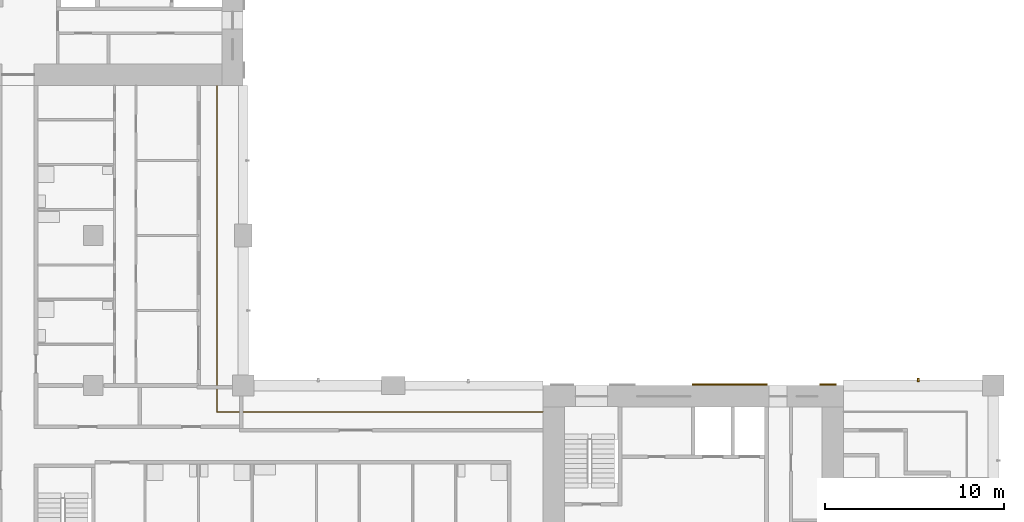
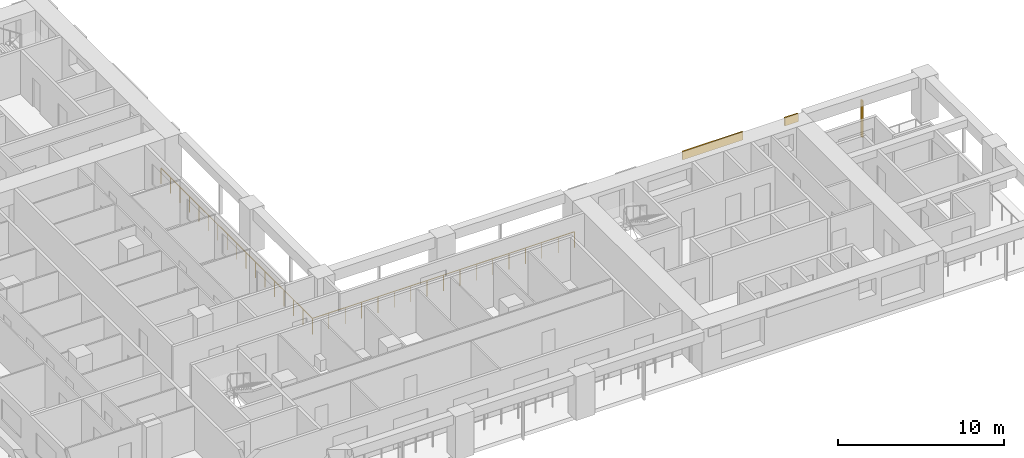
# One storey, part 13 of 16: 3 shading devices, 1 railing.
"""IFC4 building model written with IfcOpenShell, lengths in metres."""

from ifc_helpers import new_model, si_unit, direction, frame, origin, origin_2d, place, context, subcontext, project, spatial, rectangle, circle, extrude, material, layer, layer_set, material_profile, profile_set, type_object, element, save


model = new_model("IFC4")

# Units and contexts
model_context = context("Model", 3, precision=1e-05, world=origin(), true_north=direction((0.0, 1.0)))
body_context = subcontext(model_context, "Body", "Model", "MODEL_VIEW")
ifc_project = project(units=[si_unit("LENGTHUNIT", "METRE"), si_unit("AREAUNIT", "SQUARE_METRE"), si_unit("VOLUMEUNIT", "CUBIC_METRE"), si_unit("PLANEANGLEUNIT", "RADIAN"), si_unit("MASSUNIT", "GRAM", prefix="KILO")], contexts=[model_context])

# Site, building, storey
site_placement = place(None, origin())
site = spatial("IfcSite", under=ifc_project, at=site_placement, CompositionType="ELEMENT")
building_placement = place(site_placement, origin())
building = spatial("IfcBuilding", under=site, at=building_placement, Name="Vermilion Gate Residences", CompositionType="ELEMENT")
storey_placement = place(building_placement, frame((0.0, 0.0, 126.699951171875)))
storey = spatial("IfcBuildingStorey", under=building, at=storey_placement, Name="L32", CompositionType="ELEMENT", Elevation=126.699951171875)

# Railing
ifc_material_1 = material(Name="Stainless steel and toughened glass", Category="steel")
railing_type = type_object("IfcRailingType", Name="LOGGIA GUARD STEEL AND GLASS 1200", PredefinedType="GUARDRAIL", material=ifc_material_1)
railing_placement = place(storey_placement, frame((41.97802734375, 23.72509765625, 0.0)))
element("IfcRailing", 1, at=railing_placement, inside=storey, type_object=railing_type, Name="Loggia guard", PredefinedType="GUARDRAIL", context=body_context, shape_type="SweptSolid", body=[
    extrude(circle(Radius=0.030029296875, at=origin_2d()), frame((0.0, 0.0, 1.169921875), z_axis=(-1.0, 0.0, 0.0), x_axis=(0.0, -1.0, 0.0)), (0.0, 0.0, 1.0), 18.2529296875),
    extrude(circle(Radius=0.030029296875, at=origin_2d()), frame((-18.2529296875, 0.0, 1.169921875), z_axis=(0.0, 1.0, 0.0), x_axis=(-1.0, 0.0, 0.0)), (0.0, 0.0, 1.0), 18.2529296875),
    extrude(circle(Radius=0.02490234375, at=origin_2d()), origin(), (0.0, 0.0, 1.0), 1.139892578125),
    extrude(circle(Radius=0.02490234375, at=origin_2d()), frame((-1.140869140625, 0.0, 0.0)), (0.0, 0.0, 1.0), 1.139892578125),
    extrude(circle(Radius=0.02490234375, at=origin_2d()), frame((-2.28173828125, 0.0, 0.0)), (0.0, 0.0, 1.0), 1.139892578125),
    extrude(circle(Radius=0.02490234375, at=origin_2d()), frame((-3.42236328125, 0.0, 0.0)), (0.0, 0.0, 1.0), 1.139892578125),
    extrude(circle(Radius=0.02490234375, at=origin_2d()), frame((-4.563232421875, 0.0, 0.0)), (0.0, 0.0, 1.0), 1.139892578125),
    extrude(circle(Radius=0.02490234375, at=origin_2d()), frame((-5.7041015625, 0.0, 0.0)), (0.0, 0.0, 1.0), 1.139892578125),
    extrude(circle(Radius=0.02490234375, at=origin_2d()), frame((-6.8447265625, 0.0, 0.0)), (0.0, 0.0, 1.0), 1.139892578125),
    extrude(circle(Radius=0.02490234375, at=origin_2d()), frame((-7.985595703125, 0.0, 0.0)), (0.0, 0.0, 1.0), 1.139892578125),
    extrude(circle(Radius=0.02490234375, at=origin_2d()), frame((-9.12646484375, 0.0, 0.0)), (0.0, 0.0, 1.0), 1.139892578125),
    extrude(circle(Radius=0.02490234375, at=origin_2d()), frame((-10.267333984375, 0.0, 0.0)), (0.0, 0.0, 1.0), 1.139892578125),
    extrude(circle(Radius=0.02490234375, at=origin_2d()), frame((-11.408203125, 0.0, 0.0)), (0.0, 0.0, 1.0), 1.139892578125),
    extrude(circle(Radius=0.02490234375, at=origin_2d()), frame((-12.548828125, 0.0, 0.0)), (0.0, 0.0, 1.0), 1.139892578125),
    extrude(circle(Radius=0.02490234375, at=origin_2d()), frame((-13.689697265625, 0.0, 0.0)), (0.0, 0.0, 1.0), 1.139892578125),
    extrude(circle(Radius=0.02490234375, at=origin_2d()), frame((-14.83056640625, 0.0, 0.0)), (0.0, 0.0, 1.0), 1.139892578125),
    extrude(circle(Radius=0.02490234375, at=origin_2d()), frame((-15.97119140625, 0.0, 0.0)), (0.0, 0.0, 1.0), 1.139892578125),
    extrude(circle(Radius=0.02490234375, at=origin_2d()), frame((-17.112060546875, 0.0, 0.0)), (0.0, 0.0, 1.0), 1.139892578125),
    extrude(circle(Radius=0.02490234375, at=origin_2d()), frame((-18.2529296875, 0.0, 0.0)), (0.0, 0.0, 1.0), 1.139892578125),
    extrude(circle(Radius=0.02490234375, at=origin_2d()), frame((-18.2529296875, 1.140869140625, 0.0)), (0.0, 0.0, 1.0), 1.139892578125),
    extrude(circle(Radius=0.02490234375, at=origin_2d()), frame((-18.2529296875, 2.28173828125, 0.0)), (0.0, 0.0, 1.0), 1.139892578125),
    extrude(circle(Radius=0.02490234375, at=origin_2d()), frame((-18.2529296875, 3.42236328125, 0.0)), (0.0, 0.0, 1.0), 1.139892578125),
    extrude(circle(Radius=0.02490234375, at=origin_2d()), frame((-18.2529296875, 4.563232421875, 0.0)), (0.0, 0.0, 1.0), 1.139892578125),
    extrude(circle(Radius=0.02490234375, at=origin_2d()), frame((-18.2529296875, 5.7041015625, 0.0)), (0.0, 0.0, 1.0), 1.139892578125),
    extrude(circle(Radius=0.02490234375, at=origin_2d()), frame((-18.2529296875, 6.8447265625, 0.0)), (0.0, 0.0, 1.0), 1.139892578125),
    extrude(circle(Radius=0.02490234375, at=origin_2d()), frame((-18.2529296875, 7.985595703125, 0.0)), (0.0, 0.0, 1.0), 1.139892578125),
    extrude(circle(Radius=0.02490234375, at=origin_2d()), frame((-18.2529296875, 9.12646484375, 0.0)), (0.0, 0.0, 1.0), 1.139892578125),
    extrude(circle(Radius=0.02490234375, at=origin_2d()), frame((-18.2529296875, 10.267333984375, 0.0)), (0.0, 0.0, 1.0), 1.139892578125),
    extrude(circle(Radius=0.02490234375, at=origin_2d()), frame((-18.2529296875, 11.408203125, 0.0)), (0.0, 0.0, 1.0), 1.139892578125),
    extrude(circle(Radius=0.02490234375, at=origin_2d()), frame((-18.2529296875, 12.548828125, 0.0)), (0.0, 0.0, 1.0), 1.139892578125),
    extrude(circle(Radius=0.02490234375, at=origin_2d()), frame((-18.2529296875, 13.689697265625, 0.0)), (0.0, 0.0, 1.0), 1.139892578125),
    extrude(circle(Radius=0.02490234375, at=origin_2d()), frame((-18.2529296875, 14.83056640625, 0.0)), (0.0, 0.0, 1.0), 1.139892578125),
    extrude(circle(Radius=0.02490234375, at=origin_2d()), frame((-18.2529296875, 15.97119140625, 0.0)), (0.0, 0.0, 1.0), 1.139892578125),
    extrude(circle(Radius=0.02490234375, at=origin_2d()), frame((-18.2529296875, 17.112060546875, 0.0)), (0.0, 0.0, 1.0), 1.139892578125),
    extrude(circle(Radius=0.02490234375, at=origin_2d()), frame((-18.2529296875, 18.2529296875, 0.0)), (0.0, 0.0, 1.0), 1.139892578125),
])

# Shading devices
ifc_material_2 = material(Name="Extruded terracotta", Category="masonry")
ifc_material_profile = material_profile(ifc_material_2, rectangle(XDim=0.199951171875, YDim=0.10009765625, at=origin_2d()), Name="BAGUETTE 100 X 200")
ifc_profile_set = profile_set([ifc_material_profile], Name="Extruded terracotta")
shading_device_type_1 = type_object("IfcShadingDeviceType", Name="TERRACOTTA BAGUETTE 100 X 200", PredefinedType="JALOUSIE", material=ifc_profile_set)
shading_device_1_placement = place(storey_placement, frame((63.0, 25.5, -0.280029296875), z_axis=(0.0, 0.0, 1.0), x_axis=(0.0, -1.0, 0.0)))
element("IfcShadingDevice", 2, at=shading_device_1_placement, inside=storey, type_object=shading_device_type_1, Name="BAGUETTE", PredefinedType="JALOUSIE", context=body_context, shape_type="SweptSolid", body=[
    extrude(rectangle(XDim=0.199951171875, YDim=0.10009765625, at=origin_2d()), origin(), (0.0, 0.0, 1.0), 2.7001953125),
])
ifc_material_3 = material(Name="Extruded terracotta", Category="masonry")
ifc_layer = layer(ifc_material_3, 0.10009765625)
ifc_layer_set = layer_set([ifc_layer], Name="TERRACOTTA SPANDREL BAND 600 X 100")
shading_device_type_2 = type_object("IfcShadingDeviceType", Name="TERRACOTTA SPANDREL BAND 600 X 100", PredefinedType="USERDEFINED", material=ifc_layer_set)
shading_device_2_placement = place(storey_placement, frame((52.449951171875, 25.25, 2.6201171875), z_axis=(0.0, 0.0, 1.0), x_axis=(1.0, 0.0, 0.0)))
element("IfcShadingDevice", 3, at=shading_device_2_placement, inside=storey, type_object=shading_device_type_2, Name="SPANDREL BAND", ObjectType="BAND", PredefinedType="USERDEFINED", context=body_context, shape_type="SweptSolid", body=[
    extrude(rectangle(XDim=4.199951171875, YDim=0.10009765625, at=origin_2d()), origin(), (0.0, 0.0, 1.0), 0.60009765625),
])
shading_device_3_placement = place(storey_placement, frame((57.9375, 25.25, 2.6201171875), z_axis=(0.0, 0.0, 1.0), x_axis=(1.0, 0.0, 0.0)))
element("IfcShadingDevice", 4, at=shading_device_3_placement, inside=storey, type_object=shading_device_type_2, Name="SPANDREL BAND", ObjectType="BAND", PredefinedType="USERDEFINED", context=body_context, shape_type="SweptSolid", body=[
    extrude(rectangle(XDim=0.925048828125, YDim=0.10009765625, at=origin_2d()), origin(), (0.0, 0.0, 1.0), 0.60009765625),
])

save(model, "model.ifc")
